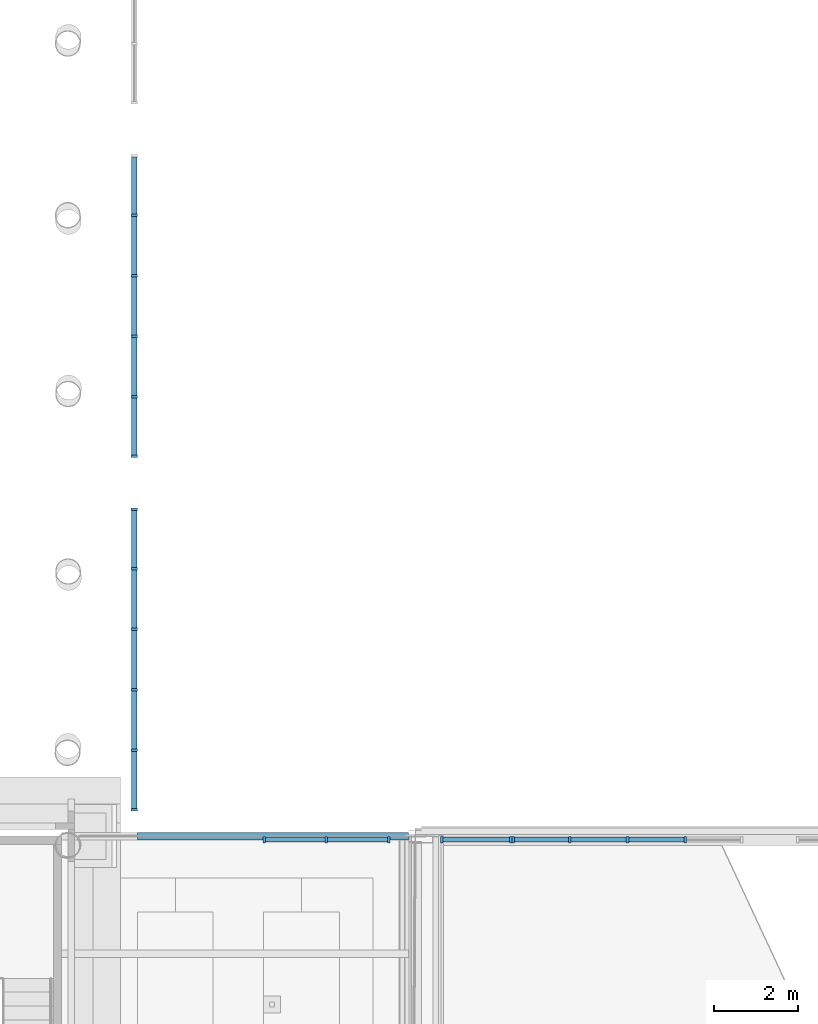
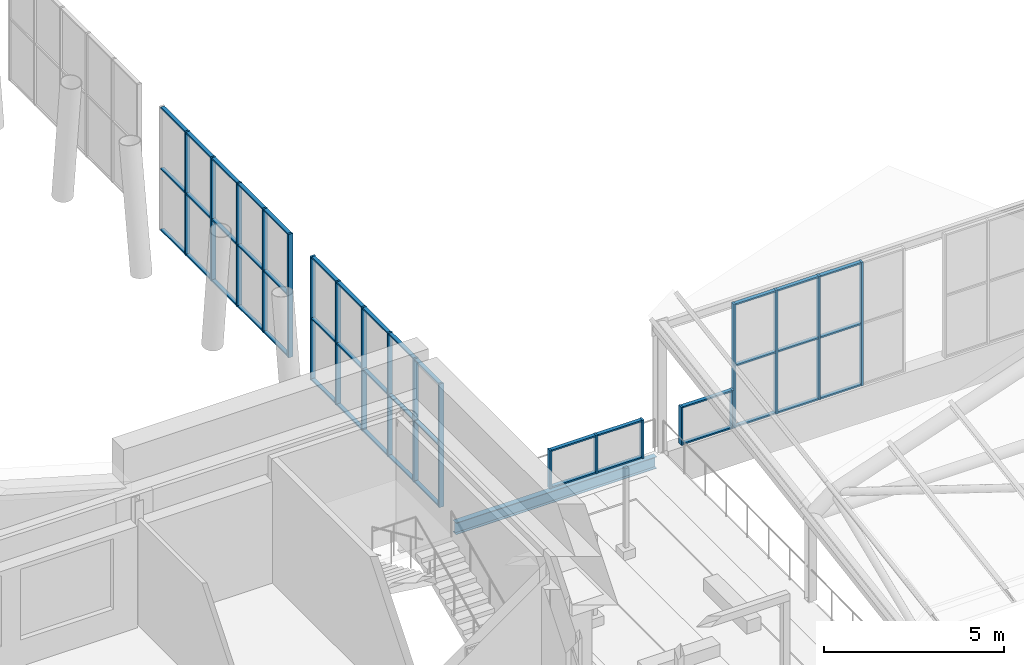
# One storey, part 19 of 76: 65 members, 1 beam, 5 elements without a shape of their own.
"""IFC4 building model written with IfcOpenShell, lengths in metres."""

from ifc_helpers import new_model, si_unit, direction, frame, origin, origin_2d, place, context, subcontext, project, spatial, rectangle, i_section, extrude, material, material_profile, profile_set, type_object, element, aggregate, save


model = new_model("IFC4")

# Units and contexts
model_context = context("Model", 3, precision=1e-05, world=origin(), true_north=direction((0.0, 1.0)))
body_context = subcontext(model_context, "Body", "Model", "MODEL_VIEW")
ifc_project = project(units=[si_unit("LENGTHUNIT", "METRE"), si_unit("AREAUNIT", "SQUARE_METRE"), si_unit("VOLUMEUNIT", "CUBIC_METRE"), si_unit("PLANEANGLEUNIT", "RADIAN"), si_unit("MASSUNIT", "GRAM", prefix="KILO")], contexts=[model_context])

# Site, building, storey
site_placement = place(None, origin())
site = spatial("IfcSite", under=ifc_project, at=site_placement, CompositionType="ELEMENT")
building_placement = place(site_placement, origin())
building = spatial("IfcBuilding", under=site, at=building_placement, Name="Sava Quay Ferry Terminal", CompositionType="ELEMENT")
storey_placement = place(building_placement, frame((0.0, 0.0, 10.800048828125)))
storey = spatial("IfcBuildingStorey", under=building, at=storey_placement, Name="L02", CompositionType="ELEMENT", Elevation=10.800048828125)

# Beam
ifc_material_1 = material(Name="Steel S355", Category="steel")
ifc_material_profile_1 = material_profile(ifc_material_1, i_section(OverallWidth=0.179931640625, OverallDepth=0.39990234375, WebThickness=0.008544921875, FlangeThickness=0.013427734375, at=origin_2d()), Name="IPE 400")
ifc_profile_set_1 = profile_set([ifc_material_profile_1], Name="Steel S355")
beam_type = type_object("IfcBeamType", Name="Beam IPE 400", PredefinedType="BEAM", material=ifc_profile_set_1)
beam_placement = place(storey_placement, frame((43.800048828125, 50.39990234375, -0.35009765625), z_axis=(1.0, 0.0, 0.0), x_axis=(0.0, 1.0, 0.0)))
element("IfcBeam", 1, at=beam_placement, inside=storey, type_object=beam_type, Name="Beam L02", PredefinedType="BEAM", context=body_context, shape_type="SweptSolid", body=[
    extrude(i_section(OverallWidth=0.179931640625, OverallDepth=0.39990234375, WebThickness=0.008544921875, FlangeThickness=0.013427734375, at=origin_2d()), origin(), (0.0, 0.0, 1.0), 6.449951171875),
])

# Curtain wall, members
ifc_material_2 = material(Name="Aluminium and glass curtain wall, double low-e glazed", Category="aluminium")
curtain_wall_type_1 = type_object("IfcCurtainWallType", Name="Curtain wall CW-G gable", PredefinedType="NOTDEFINED", material=ifc_material_2)
curtain_wall_1_placement = place(storey_placement, origin())
curtain_wall_1 = element("IfcCurtainWall", 2, at=curtain_wall_1_placement, inside=storey, type_object=curtain_wall_type_1, Name="Curtain wall D-S L02 bay 11", PredefinedType="NOTDEFINED")
ifc_material_3 = material(Name="Aluminium EN AW-6063 T6", Category="aluminium")
ifc_material_profile_2 = material_profile(ifc_material_3, rectangle(XDim=0.14990234375, YDim=0.06005859375, at=origin_2d()), Name="Mullion 60x150 aluminium")
ifc_profile_set_2 = profile_set([ifc_material_profile_2], Name="Aluminium EN AW-6063 T6")
member_type_1 = type_object("IfcMemberType", Name="Mullion 60x150 aluminium", PredefinedType="MULLION", material=ifc_profile_set_2)
member_1_placement = place(storey_placement, frame((46.81005859375, 50.31494140625, 0.0), z_axis=(0.0, 0.0, 1.0), x_axis=(0.0, 1.0, 0.0)))
member_1 = element("IfcMember", 3, at=member_1_placement, type_object=member_type_1, Name="CW88 mullion 1", PredefinedType="MULLION", context=body_context, shape_type="SweptSolid", body=[
    extrude(rectangle(XDim=0.14990234375, YDim=0.06005859375, at=origin_2d()), origin(), (0.0, 0.0, 1.0), 1.300048828125),
])
member_2_placement = place(storey_placement, frame((48.2900390625, 50.31494140625, 0.0), z_axis=(0.0, 0.0, 1.0), x_axis=(0.0, 1.0, 0.0)))
member_2 = element("IfcMember", 4, at=member_2_placement, type_object=member_type_1, Name="CW88 mullion 2", PredefinedType="MULLION", context=body_context, shape_type="SweptSolid", body=[
    extrude(rectangle(XDim=0.14990234375, YDim=0.06005859375, at=origin_2d()), origin(), (0.0, 0.0, 1.0), 1.300048828125),
])
member_3_placement = place(storey_placement, frame((49.77001953125, 50.31494140625, 0.0), z_axis=(0.0, 0.0, 1.0), x_axis=(0.0, 1.0, 0.0)))
member_3 = element("IfcMember", 5, at=member_3_placement, type_object=member_type_1, Name="CW88 mullion 3", PredefinedType="MULLION", context=body_context, shape_type="SweptSolid", body=[
    extrude(rectangle(XDim=0.14990234375, YDim=0.06005859375, at=origin_2d()), origin(), (0.0, 0.0, 1.0), 1.300048828125),
])

curtain_wall_2_placement = place(storey_placement, origin())
curtain_wall_2 = element("IfcCurtainWall", 6, at=curtain_wall_2_placement, inside=storey, type_object=curtain_wall_type_1, Name="Curtain wall D-S L02 bay 12", PredefinedType="NOTDEFINED")
member_4_placement = place(storey_placement, frame((51.030029296875, 50.31494140625, 0.0), z_axis=(0.0, 0.0, 1.0), x_axis=(0.0, 1.0, 0.0)))
member_4 = element("IfcMember", 7, at=member_4_placement, type_object=member_type_1, Name="CW89 mullion 1", PredefinedType="MULLION", context=body_context, shape_type="SweptSolid", body=[
    extrude(rectangle(XDim=0.14990234375, YDim=0.06005859375, at=origin_2d()), origin(), (0.0, 0.0, 1.0), 1.300048828125),
])
member_5_placement = place(storey_placement, frame((52.669921875, 50.31494140625, 0.0), z_axis=(0.0, 0.0, 1.0), x_axis=(0.0, 1.0, 0.0)))
member_5 = element("IfcMember", 8, at=member_5_placement, type_object=member_type_1, Name="CW89 mullion 2", PredefinedType="MULLION", context=body_context, shape_type="SweptSolid", body=[
    extrude(rectangle(XDim=0.14990234375, YDim=0.06005859375, at=origin_2d()), origin(), (0.0, 0.0, 1.0), 1.300048828125),
])

curtain_wall_3_placement = place(storey_placement, origin())
curtain_wall_3 = element("IfcCurtainWall", 9, at=curtain_wall_3_placement, inside=storey, type_object=curtain_wall_type_1, Name="Curtain wall D-S L02 bay 21", PredefinedType="NOTDEFINED")
member_6_placement = place(storey_placement, frame((52.72998046875, 50.31494140625, 0.0), z_axis=(0.0, 0.0, 1.0), x_axis=(0.0, 1.0, 0.0)))
member_6 = element("IfcMember", 10, at=member_6_placement, type_object=member_type_1, Name="CW90 mullion 1", PredefinedType="MULLION", context=body_context, shape_type="SweptSolid", body=[
    extrude(rectangle(XDim=0.14990234375, YDim=0.06005859375, at=origin_2d()), origin(), (0.0, 0.0, 1.0), 4.199951171875),
])
member_7_placement = place(storey_placement, frame((54.074951171875, 50.31494140625, 0.0), z_axis=(0.0, 0.0, 1.0), x_axis=(0.0, 1.0, 0.0)))
member_7 = element("IfcMember", 11, at=member_7_placement, type_object=member_type_1, Name="CW90 mullion 2", PredefinedType="MULLION", context=body_context, shape_type="SweptSolid", body=[
    extrude(rectangle(XDim=0.14990234375, YDim=0.06005859375, at=origin_2d()), origin(), (0.0, 0.0, 1.0), 4.199951171875),
])
member_8_placement = place(storey_placement, frame((55.449951171875, 50.31494140625, 0.0), z_axis=(0.0, 0.0, 1.0), x_axis=(0.0, 1.0, 0.0)))
member_8 = element("IfcMember", 12, at=member_8_placement, type_object=member_type_1, Name="CW90 mullion 3", PredefinedType="MULLION", context=body_context, shape_type="SweptSolid", body=[
    extrude(rectangle(XDim=0.14990234375, YDim=0.06005859375, at=origin_2d()), origin(), (0.0, 0.0, 1.0), 4.199951171875),
])
member_9_placement = place(storey_placement, frame((56.824951171875, 50.31494140625, 0.0), z_axis=(0.0, 0.0, 1.0), x_axis=(0.0, 1.0, 0.0)))
member_9 = element("IfcMember", 13, at=member_9_placement, type_object=member_type_1, Name="CW90 mullion 4", PredefinedType="MULLION", context=body_context, shape_type="SweptSolid", body=[
    extrude(rectangle(XDim=0.14990234375, YDim=0.06005859375, at=origin_2d()), origin(), (0.0, 0.0, 1.0), 4.199951171875),
])

ifc_material_4 = material(Name="Aluminium and glass curtain wall, double low-e glazed", Category="aluminium")
curtain_wall_type_2 = type_object("IfcCurtainWallType", Name="Curtain wall CW-F flank", PredefinedType="NOTDEFINED", material=ifc_material_4)
curtain_wall_4_placement = place(storey_placement, origin())
curtain_wall_4 = element("IfcCurtainWall", 14, at=curtain_wall_4_placement, inside=storey, type_object=curtain_wall_type_2, Name="Curtain wall D-W L02 bay 1", PredefinedType="NOTDEFINED")
member_10_placement = place(storey_placement, frame((43.72509765625, 51.030029296875, 0.0), z_axis=(0.0, 0.0, 1.0), x_axis=(-1.0, 0.0, 0.0)))
member_10 = element("IfcMember", 15, at=member_10_placement, type_object=member_type_1, Name="CW97 mullion 1", PredefinedType="MULLION", context=body_context, shape_type="SweptSolid", body=[
    extrude(rectangle(XDim=0.14990234375, YDim=0.06005859375, at=origin_2d()), origin(), (0.0, 0.0, 1.0), 4.199951171875),
])
member_11_placement = place(storey_placement, frame((43.72509765625, 52.43994140625, 0.0), z_axis=(0.0, 0.0, 1.0), x_axis=(-1.0, 0.0, 0.0)))
member_11 = element("IfcMember", 16, at=member_11_placement, type_object=member_type_1, Name="CW97 mullion 2", PredefinedType="MULLION", context=body_context, shape_type="SweptSolid", body=[
    extrude(rectangle(XDim=0.14990234375, YDim=0.06005859375, at=origin_2d()), origin(), (0.0, 0.0, 1.0), 4.199951171875),
])
member_12_placement = place(storey_placement, frame((43.72509765625, 53.8798828125, 0.0), z_axis=(0.0, 0.0, 1.0), x_axis=(-1.0, 0.0, 0.0)))
member_12 = element("IfcMember", 17, at=member_12_placement, type_object=member_type_1, Name="CW97 mullion 3", PredefinedType="MULLION", context=body_context, shape_type="SweptSolid", body=[
    extrude(rectangle(XDim=0.14990234375, YDim=0.06005859375, at=origin_2d()), origin(), (0.0, 0.0, 1.0), 4.199951171875),
])
member_13_placement = place(storey_placement, frame((43.72509765625, 55.320068359375, 0.0), z_axis=(0.0, 0.0, 1.0), x_axis=(-1.0, 0.0, 0.0)))
member_13 = element("IfcMember", 18, at=member_13_placement, type_object=member_type_1, Name="CW97 mullion 4", PredefinedType="MULLION", context=body_context, shape_type="SweptSolid", body=[
    extrude(rectangle(XDim=0.14990234375, YDim=0.06005859375, at=origin_2d()), origin(), (0.0, 0.0, 1.0), 4.199951171875),
])
member_14_placement = place(storey_placement, frame((43.72509765625, 56.760009765625, 0.0), z_axis=(0.0, 0.0, 1.0), x_axis=(-1.0, 0.0, 0.0)))
member_14 = element("IfcMember", 19, at=member_14_placement, type_object=member_type_1, Name="CW97 mullion 5", PredefinedType="MULLION", context=body_context, shape_type="SweptSolid", body=[
    extrude(rectangle(XDim=0.14990234375, YDim=0.06005859375, at=origin_2d()), origin(), (0.0, 0.0, 1.0), 4.199951171875),
])
member_15_placement = place(storey_placement, frame((43.72509765625, 58.169921875, 0.0), z_axis=(0.0, 0.0, 1.0), x_axis=(-1.0, 0.0, 0.0)))
member_15 = element("IfcMember", 20, at=member_15_placement, type_object=member_type_1, Name="CW97 mullion 6", PredefinedType="MULLION", context=body_context, shape_type="SweptSolid", body=[
    extrude(rectangle(XDim=0.14990234375, YDim=0.06005859375, at=origin_2d()), origin(), (0.0, 0.0, 1.0), 4.199951171875),
])

curtain_wall_5_placement = place(storey_placement, origin())
curtain_wall_5 = element("IfcCurtainWall", 21, at=curtain_wall_5_placement, inside=storey, type_object=curtain_wall_type_2, Name="Curtain wall D-W L02 bay 2", PredefinedType="NOTDEFINED")
member_16_placement = place(storey_placement, frame((43.72509765625, 59.429931640625, 0.0), z_axis=(0.0, 0.0, 1.0), x_axis=(-1.0, 0.0, 0.0)))
member_16 = element("IfcMember", 22, at=member_16_placement, type_object=member_type_1, Name="CW101 mullion 1", PredefinedType="MULLION", context=body_context, shape_type="SweptSolid", body=[
    extrude(rectangle(XDim=0.14990234375, YDim=0.06005859375, at=origin_2d()), origin(), (0.0, 0.0, 1.0), 4.199951171875),
])
member_17_placement = place(storey_placement, frame((43.72509765625, 60.840087890625, 0.0), z_axis=(0.0, 0.0, 1.0), x_axis=(-1.0, 0.0, 0.0)))
member_17 = element("IfcMember", 23, at=member_17_placement, type_object=member_type_1, Name="CW101 mullion 2", PredefinedType="MULLION", context=body_context, shape_type="SweptSolid", body=[
    extrude(rectangle(XDim=0.14990234375, YDim=0.06005859375, at=origin_2d()), origin(), (0.0, 0.0, 1.0), 4.199951171875),
])
member_18_placement = place(storey_placement, frame((43.72509765625, 62.280029296875, 0.0), z_axis=(0.0, 0.0, 1.0), x_axis=(-1.0, 0.0, 0.0)))
member_18 = element("IfcMember", 24, at=member_18_placement, type_object=member_type_1, Name="CW101 mullion 3", PredefinedType="MULLION", context=body_context, shape_type="SweptSolid", body=[
    extrude(rectangle(XDim=0.14990234375, YDim=0.06005859375, at=origin_2d()), origin(), (0.0, 0.0, 1.0), 4.199951171875),
])
member_19_placement = place(storey_placement, frame((43.72509765625, 63.719970703125, 0.0), z_axis=(0.0, 0.0, 1.0), x_axis=(-1.0, 0.0, 0.0)))
member_19 = element("IfcMember", 25, at=member_19_placement, type_object=member_type_1, Name="CW101 mullion 4", PredefinedType="MULLION", context=body_context, shape_type="SweptSolid", body=[
    extrude(rectangle(XDim=0.14990234375, YDim=0.06005859375, at=origin_2d()), origin(), (0.0, 0.0, 1.0), 4.199951171875),
])
member_20_placement = place(storey_placement, frame((43.72509765625, 65.159912109375, 0.0), z_axis=(0.0, 0.0, 1.0), x_axis=(-1.0, 0.0, 0.0)))
member_20 = element("IfcMember", 26, at=member_20_placement, type_object=member_type_1, Name="CW101 mullion 5", PredefinedType="MULLION", context=body_context, shape_type="SweptSolid", body=[
    extrude(rectangle(XDim=0.14990234375, YDim=0.06005859375, at=origin_2d()), origin(), (0.0, 0.0, 1.0), 4.199951171875),
])

# Member
ifc_material_5 = material(Name="Aluminium EN AW-6063 T6", Category="aluminium")
ifc_material_profile_3 = material_profile(ifc_material_5, rectangle(XDim=0.1201171875, YDim=0.050048828125, at=origin_2d()), Name="Transom 50x120 aluminium")
ifc_profile_set_3 = profile_set([ifc_material_profile_3], Name="Aluminium EN AW-6063 T6")
member_type_2 = type_object("IfcMemberType", Name="Transom 50x120 aluminium", PredefinedType="USERDEFINED", material=ifc_profile_set_3)
member_21_placement = place(storey_placement, frame((46.840087890625, 50.31494140625, 0.02490234375), z_axis=(1.0, 0.0, 0.0), x_axis=(0.0, 1.0, 0.0)))
member_21 = element("IfcMember", 27, at=member_21_placement, type_object=member_type_2, Name="CW88 transom 1.1", ObjectType="TRANSOM", PredefinedType="USERDEFINED", context=body_context, shape_type="SweptSolid", body=[
    extrude(rectangle(XDim=0.1201171875, YDim=0.050048828125, at=origin_2d()), origin(), (0.0, 0.0, 1.0), 1.419921875),
])

member_22_placement = place(storey_placement, frame((46.840087890625, 50.31494140625, 1.27490234375), z_axis=(1.0, 0.0, 0.0), x_axis=(0.0, 1.0, 0.0)))
member_22 = element("IfcMember", 28, at=member_22_placement, type_object=member_type_2, Name="CW88 transom 1.2", ObjectType="TRANSOM", PredefinedType="USERDEFINED", context=body_context, shape_type="SweptSolid", body=[
    extrude(rectangle(XDim=0.1201171875, YDim=0.050048828125, at=origin_2d()), origin(), (0.0, 0.0, 1.0), 1.419921875),
])

member_23_placement = place(storey_placement, frame((48.320068359375, 50.31494140625, 0.02490234375), z_axis=(1.0, 0.0, 0.0), x_axis=(0.0, 1.0, 0.0)))
member_23 = element("IfcMember", 29, at=member_23_placement, type_object=member_type_2, Name="CW88 transom 2.1", ObjectType="TRANSOM", PredefinedType="USERDEFINED", context=body_context, shape_type="SweptSolid", body=[
    extrude(rectangle(XDim=0.1201171875, YDim=0.050048828125, at=origin_2d()), origin(), (0.0, 0.0, 1.0), 1.419921875),
])

member_24_placement = place(storey_placement, frame((48.320068359375, 50.31494140625, 1.27490234375), z_axis=(1.0, 0.0, 0.0), x_axis=(0.0, 1.0, 0.0)))
member_24 = element("IfcMember", 30, at=member_24_placement, type_object=member_type_2, Name="CW88 transom 2.2", ObjectType="TRANSOM", PredefinedType="USERDEFINED", context=body_context, shape_type="SweptSolid", body=[
    extrude(rectangle(XDim=0.1201171875, YDim=0.050048828125, at=origin_2d()), origin(), (0.0, 0.0, 1.0), 1.419921875),
])

aggregate(curtain_wall_1, [member_1, member_2, member_3, member_21, member_22, member_23, member_24])

member_25_placement = place(storey_placement, frame((51.06005859375, 50.31494140625, 0.02490234375), z_axis=(1.0, 0.0, 0.0), x_axis=(0.0, 1.0, 0.0)))
member_25 = element("IfcMember", 31, at=member_25_placement, type_object=member_type_2, Name="CW89 transom 1.1", ObjectType="TRANSOM", PredefinedType="USERDEFINED", context=body_context, shape_type="SweptSolid", body=[
    extrude(rectangle(XDim=0.1201171875, YDim=0.050048828125, at=origin_2d()), origin(), (0.0, 0.0, 1.0), 1.579833984375),
])

member_26_placement = place(storey_placement, frame((51.06005859375, 50.31494140625, 1.27490234375), z_axis=(1.0, 0.0, 0.0), x_axis=(0.0, 1.0, 0.0)))
member_26 = element("IfcMember", 32, at=member_26_placement, type_object=member_type_2, Name="CW89 transom 1.2", ObjectType="TRANSOM", PredefinedType="USERDEFINED", context=body_context, shape_type="SweptSolid", body=[
    extrude(rectangle(XDim=0.1201171875, YDim=0.050048828125, at=origin_2d()), origin(), (0.0, 0.0, 1.0), 1.579833984375),
])

aggregate(curtain_wall_2, [member_4, member_5, member_25, member_26])

member_27_placement = place(storey_placement, frame((52.760009765625, 50.31494140625, 0.02490234375), z_axis=(1.0, 0.0, 0.0), x_axis=(0.0, 1.0, 0.0)))
member_27 = element("IfcMember", 33, at=member_27_placement, type_object=member_type_2, Name="CW90 transom 1.1", ObjectType="TRANSOM", PredefinedType="USERDEFINED", context=body_context, shape_type="SweptSolid", body=[
    extrude(rectangle(XDim=0.1201171875, YDim=0.050048828125, at=origin_2d()), origin(), (0.0, 0.0, 1.0), 1.284912109375),
])

member_28_placement = place(storey_placement, frame((52.760009765625, 50.31494140625, 2.099853515625), z_axis=(1.0, 0.0, 0.0), x_axis=(0.0, 1.0, 0.0)))
member_28 = element("IfcMember", 34, at=member_28_placement, type_object=member_type_2, Name="CW90 transom 1.2", ObjectType="TRANSOM", PredefinedType="USERDEFINED", context=body_context, shape_type="SweptSolid", body=[
    extrude(rectangle(XDim=0.1201171875, YDim=0.050048828125, at=origin_2d()), origin(), (0.0, 0.0, 1.0), 1.284912109375),
])

member_29_placement = place(storey_placement, frame((52.760009765625, 50.31494140625, 4.175048828125), z_axis=(1.0, 0.0, 0.0), x_axis=(0.0, 1.0, 0.0)))
member_29 = element("IfcMember", 35, at=member_29_placement, type_object=member_type_2, Name="CW90 transom 1.3", ObjectType="TRANSOM", PredefinedType="USERDEFINED", context=body_context, shape_type="SweptSolid", body=[
    extrude(rectangle(XDim=0.1201171875, YDim=0.050048828125, at=origin_2d()), origin(), (0.0, 0.0, 1.0), 1.284912109375),
])

member_30_placement = place(storey_placement, frame((54.10498046875, 50.31494140625, 0.02490234375), z_axis=(1.0, 0.0, 0.0), x_axis=(0.0, 1.0, 0.0)))
member_30 = element("IfcMember", 36, at=member_30_placement, type_object=member_type_2, Name="CW90 transom 2.1", ObjectType="TRANSOM", PredefinedType="USERDEFINED", context=body_context, shape_type="SweptSolid", body=[
    extrude(rectangle(XDim=0.1201171875, YDim=0.050048828125, at=origin_2d()), origin(), (0.0, 0.0, 1.0), 1.31494140625),
])

member_31_placement = place(storey_placement, frame((54.10498046875, 50.31494140625, 2.099853515625), z_axis=(1.0, 0.0, 0.0), x_axis=(0.0, 1.0, 0.0)))
member_31 = element("IfcMember", 37, at=member_31_placement, type_object=member_type_2, Name="CW90 transom 2.2", ObjectType="TRANSOM", PredefinedType="USERDEFINED", context=body_context, shape_type="SweptSolid", body=[
    extrude(rectangle(XDim=0.1201171875, YDim=0.050048828125, at=origin_2d()), origin(), (0.0, 0.0, 1.0), 1.31494140625),
])

member_32_placement = place(storey_placement, frame((54.10498046875, 50.31494140625, 4.175048828125), z_axis=(1.0, 0.0, 0.0), x_axis=(0.0, 1.0, 0.0)))
member_32 = element("IfcMember", 38, at=member_32_placement, type_object=member_type_2, Name="CW90 transom 2.3", ObjectType="TRANSOM", PredefinedType="USERDEFINED", context=body_context, shape_type="SweptSolid", body=[
    extrude(rectangle(XDim=0.1201171875, YDim=0.050048828125, at=origin_2d()), origin(), (0.0, 0.0, 1.0), 1.31494140625),
])

member_33_placement = place(storey_placement, frame((55.47998046875, 50.31494140625, 0.02490234375), z_axis=(1.0, 0.0, 0.0), x_axis=(0.0, 1.0, 0.0)))
member_33 = element("IfcMember", 39, at=member_33_placement, type_object=member_type_2, Name="CW90 transom 3.1", ObjectType="TRANSOM", PredefinedType="USERDEFINED", context=body_context, shape_type="SweptSolid", body=[
    extrude(rectangle(XDim=0.1201171875, YDim=0.050048828125, at=origin_2d()), origin(), (0.0, 0.0, 1.0), 1.31494140625),
])

member_34_placement = place(storey_placement, frame((55.47998046875, 50.31494140625, 2.099853515625), z_axis=(1.0, 0.0, 0.0), x_axis=(0.0, 1.0, 0.0)))
member_34 = element("IfcMember", 40, at=member_34_placement, type_object=member_type_2, Name="CW90 transom 3.2", ObjectType="TRANSOM", PredefinedType="USERDEFINED", context=body_context, shape_type="SweptSolid", body=[
    extrude(rectangle(XDim=0.1201171875, YDim=0.050048828125, at=origin_2d()), origin(), (0.0, 0.0, 1.0), 1.31494140625),
])

member_35_placement = place(storey_placement, frame((55.47998046875, 50.31494140625, 4.175048828125), z_axis=(1.0, 0.0, 0.0), x_axis=(0.0, 1.0, 0.0)))
member_35 = element("IfcMember", 41, at=member_35_placement, type_object=member_type_2, Name="CW90 transom 3.3", ObjectType="TRANSOM", PredefinedType="USERDEFINED", context=body_context, shape_type="SweptSolid", body=[
    extrude(rectangle(XDim=0.1201171875, YDim=0.050048828125, at=origin_2d()), origin(), (0.0, 0.0, 1.0), 1.31494140625),
])

aggregate(curtain_wall_3, [member_6, member_7, member_8, member_9, member_27, member_28, member_29, member_30, member_31, member_32, member_33, member_34, member_35])

member_36_placement = place(storey_placement, frame((43.72509765625, 51.06005859375, 0.02490234375), z_axis=(0.0, 1.0, 0.0), x_axis=(-1.0, 0.0, 0.0)))
member_36 = element("IfcMember", 42, at=member_36_placement, type_object=member_type_2, Name="CW97 transom 1.1", ObjectType="TRANSOM", PredefinedType="USERDEFINED", context=body_context, shape_type="SweptSolid", body=[
    extrude(rectangle(XDim=0.1201171875, YDim=0.050048828125, at=origin_2d()), origin(), (0.0, 0.0, 1.0), 1.349853515625),
])

member_37_placement = place(storey_placement, frame((43.72509765625, 51.06005859375, 2.099853515625), z_axis=(0.0, 1.0, 0.0), x_axis=(-1.0, 0.0, 0.0)))
member_37 = element("IfcMember", 43, at=member_37_placement, type_object=member_type_2, Name="CW97 transom 1.2", ObjectType="TRANSOM", PredefinedType="USERDEFINED", context=body_context, shape_type="SweptSolid", body=[
    extrude(rectangle(XDim=0.1201171875, YDim=0.050048828125, at=origin_2d()), origin(), (0.0, 0.0, 1.0), 1.349853515625),
])

member_38_placement = place(storey_placement, frame((43.72509765625, 51.06005859375, 4.175048828125), z_axis=(0.0, 1.0, 0.0), x_axis=(-1.0, 0.0, 0.0)))
member_38 = element("IfcMember", 44, at=member_38_placement, type_object=member_type_2, Name="CW97 transom 1.3", ObjectType="TRANSOM", PredefinedType="USERDEFINED", context=body_context, shape_type="SweptSolid", body=[
    extrude(rectangle(XDim=0.1201171875, YDim=0.050048828125, at=origin_2d()), origin(), (0.0, 0.0, 1.0), 1.349853515625),
])

member_39_placement = place(storey_placement, frame((43.72509765625, 52.469970703125, 0.02490234375), z_axis=(0.0, 1.0, 0.0), x_axis=(-1.0, 0.0, 0.0)))
member_39 = element("IfcMember", 45, at=member_39_placement, type_object=member_type_2, Name="CW97 transom 2.1", ObjectType="TRANSOM", PredefinedType="USERDEFINED", context=body_context, shape_type="SweptSolid", body=[
    extrude(rectangle(XDim=0.1201171875, YDim=0.050048828125, at=origin_2d()), origin(), (0.0, 0.0, 1.0), 1.380126953125),
])

member_40_placement = place(storey_placement, frame((43.72509765625, 52.469970703125, 2.099853515625), z_axis=(0.0, 1.0, 0.0), x_axis=(-1.0, 0.0, 0.0)))
member_40 = element("IfcMember", 46, at=member_40_placement, type_object=member_type_2, Name="CW97 transom 2.2", ObjectType="TRANSOM", PredefinedType="USERDEFINED", context=body_context, shape_type="SweptSolid", body=[
    extrude(rectangle(XDim=0.1201171875, YDim=0.050048828125, at=origin_2d()), origin(), (0.0, 0.0, 1.0), 1.380126953125),
])

member_41_placement = place(storey_placement, frame((43.72509765625, 52.469970703125, 4.175048828125), z_axis=(0.0, 1.0, 0.0), x_axis=(-1.0, 0.0, 0.0)))
member_41 = element("IfcMember", 47, at=member_41_placement, type_object=member_type_2, Name="CW97 transom 2.3", ObjectType="TRANSOM", PredefinedType="USERDEFINED", context=body_context, shape_type="SweptSolid", body=[
    extrude(rectangle(XDim=0.1201171875, YDim=0.050048828125, at=origin_2d()), origin(), (0.0, 0.0, 1.0), 1.380126953125),
])

member_42_placement = place(storey_placement, frame((43.72509765625, 53.909912109375, 0.02490234375), z_axis=(0.0, 1.0, 0.0), x_axis=(-1.0, 0.0, 0.0)))
member_42 = element("IfcMember", 48, at=member_42_placement, type_object=member_type_2, Name="CW97 transom 3.1", ObjectType="TRANSOM", PredefinedType="USERDEFINED", context=body_context, shape_type="SweptSolid", body=[
    extrude(rectangle(XDim=0.1201171875, YDim=0.050048828125, at=origin_2d()), origin(), (0.0, 0.0, 1.0), 1.380126953125),
])

member_43_placement = place(storey_placement, frame((43.72509765625, 53.909912109375, 2.099853515625), z_axis=(0.0, 1.0, 0.0), x_axis=(-1.0, 0.0, 0.0)))
member_43 = element("IfcMember", 49, at=member_43_placement, type_object=member_type_2, Name="CW97 transom 3.2", ObjectType="TRANSOM", PredefinedType="USERDEFINED", context=body_context, shape_type="SweptSolid", body=[
    extrude(rectangle(XDim=0.1201171875, YDim=0.050048828125, at=origin_2d()), origin(), (0.0, 0.0, 1.0), 1.380126953125),
])

member_44_placement = place(storey_placement, frame((43.72509765625, 53.909912109375, 4.175048828125), z_axis=(0.0, 1.0, 0.0), x_axis=(-1.0, 0.0, 0.0)))
member_44 = element("IfcMember", 50, at=member_44_placement, type_object=member_type_2, Name="CW97 transom 3.3", ObjectType="TRANSOM", PredefinedType="USERDEFINED", context=body_context, shape_type="SweptSolid", body=[
    extrude(rectangle(XDim=0.1201171875, YDim=0.050048828125, at=origin_2d()), origin(), (0.0, 0.0, 1.0), 1.380126953125),
])

member_45_placement = place(storey_placement, frame((43.72509765625, 55.35009765625, 0.02490234375), z_axis=(0.0, 1.0, 0.0), x_axis=(-1.0, 0.0, 0.0)))
member_45 = element("IfcMember", 51, at=member_45_placement, type_object=member_type_2, Name="CW97 transom 4.1", ObjectType="TRANSOM", PredefinedType="USERDEFINED", context=body_context, shape_type="SweptSolid", body=[
    extrude(rectangle(XDim=0.1201171875, YDim=0.050048828125, at=origin_2d()), origin(), (0.0, 0.0, 1.0), 1.3798828125),
])

member_46_placement = place(storey_placement, frame((43.72509765625, 55.35009765625, 2.099853515625), z_axis=(0.0, 1.0, 0.0), x_axis=(-1.0, 0.0, 0.0)))
member_46 = element("IfcMember", 52, at=member_46_placement, type_object=member_type_2, Name="CW97 transom 4.2", ObjectType="TRANSOM", PredefinedType="USERDEFINED", context=body_context, shape_type="SweptSolid", body=[
    extrude(rectangle(XDim=0.1201171875, YDim=0.050048828125, at=origin_2d()), origin(), (0.0, 0.0, 1.0), 1.3798828125),
])

member_47_placement = place(storey_placement, frame((43.72509765625, 55.35009765625, 4.175048828125), z_axis=(0.0, 1.0, 0.0), x_axis=(-1.0, 0.0, 0.0)))
member_47 = element("IfcMember", 53, at=member_47_placement, type_object=member_type_2, Name="CW97 transom 4.3", ObjectType="TRANSOM", PredefinedType="USERDEFINED", context=body_context, shape_type="SweptSolid", body=[
    extrude(rectangle(XDim=0.1201171875, YDim=0.050048828125, at=origin_2d()), origin(), (0.0, 0.0, 1.0), 1.3798828125),
])

member_48_placement = place(storey_placement, frame((43.72509765625, 56.7900390625, 0.02490234375), z_axis=(0.0, 1.0, 0.0), x_axis=(-1.0, 0.0, 0.0)))
member_48 = element("IfcMember", 54, at=member_48_placement, type_object=member_type_2, Name="CW97 transom 5.1", ObjectType="TRANSOM", PredefinedType="USERDEFINED", context=body_context, shape_type="SweptSolid", body=[
    extrude(rectangle(XDim=0.1201171875, YDim=0.050048828125, at=origin_2d()), origin(), (0.0, 0.0, 1.0), 1.349853515625),
])

member_49_placement = place(storey_placement, frame((43.72509765625, 56.7900390625, 2.099853515625), z_axis=(0.0, 1.0, 0.0), x_axis=(-1.0, 0.0, 0.0)))
member_49 = element("IfcMember", 55, at=member_49_placement, type_object=member_type_2, Name="CW97 transom 5.2", ObjectType="TRANSOM", PredefinedType="USERDEFINED", context=body_context, shape_type="SweptSolid", body=[
    extrude(rectangle(XDim=0.1201171875, YDim=0.050048828125, at=origin_2d()), origin(), (0.0, 0.0, 1.0), 1.349853515625),
])

member_50_placement = place(storey_placement, frame((43.72509765625, 56.7900390625, 4.175048828125), z_axis=(0.0, 1.0, 0.0), x_axis=(-1.0, 0.0, 0.0)))
member_50 = element("IfcMember", 56, at=member_50_placement, type_object=member_type_2, Name="CW97 transom 5.3", ObjectType="TRANSOM", PredefinedType="USERDEFINED", context=body_context, shape_type="SweptSolid", body=[
    extrude(rectangle(XDim=0.1201171875, YDim=0.050048828125, at=origin_2d()), origin(), (0.0, 0.0, 1.0), 1.349853515625),
])

aggregate(curtain_wall_4, [member_10, member_11, member_12, member_13, member_14, member_15, member_36, member_37, member_38, member_39, member_40, member_41, member_42, member_43, member_44, member_45, member_46, member_47, member_48, member_49, member_50])

member_51_placement = place(storey_placement, frame((43.72509765625, 59.4599609375, 0.02490234375), z_axis=(0.0, 1.0, 0.0), x_axis=(-1.0, 0.0, 0.0)))
member_51 = element("IfcMember", 57, at=member_51_placement, type_object=member_type_2, Name="CW101 transom 1.1", ObjectType="TRANSOM", PredefinedType="USERDEFINED", context=body_context, shape_type="SweptSolid", body=[
    extrude(rectangle(XDim=0.1201171875, YDim=0.050048828125, at=origin_2d()), origin(), (0.0, 0.0, 1.0), 1.35009765625),
])

member_52_placement = place(storey_placement, frame((43.72509765625, 59.4599609375, 2.099853515625), z_axis=(0.0, 1.0, 0.0), x_axis=(-1.0, 0.0, 0.0)))
member_52 = element("IfcMember", 58, at=member_52_placement, type_object=member_type_2, Name="CW101 transom 1.2", ObjectType="TRANSOM", PredefinedType="USERDEFINED", context=body_context, shape_type="SweptSolid", body=[
    extrude(rectangle(XDim=0.1201171875, YDim=0.050048828125, at=origin_2d()), origin(), (0.0, 0.0, 1.0), 1.35009765625),
])

member_53_placement = place(storey_placement, frame((43.72509765625, 59.4599609375, 4.175048828125), z_axis=(0.0, 1.0, 0.0), x_axis=(-1.0, 0.0, 0.0)))
member_53 = element("IfcMember", 59, at=member_53_placement, type_object=member_type_2, Name="CW101 transom 1.3", ObjectType="TRANSOM", PredefinedType="USERDEFINED", context=body_context, shape_type="SweptSolid", body=[
    extrude(rectangle(XDim=0.1201171875, YDim=0.050048828125, at=origin_2d()), origin(), (0.0, 0.0, 1.0), 1.35009765625),
])

member_54_placement = place(storey_placement, frame((43.72509765625, 60.8701171875, 0.02490234375), z_axis=(0.0, 1.0, 0.0), x_axis=(-1.0, 0.0, 0.0)))
member_54 = element("IfcMember", 60, at=member_54_placement, type_object=member_type_2, Name="CW101 transom 2.1", ObjectType="TRANSOM", PredefinedType="USERDEFINED", context=body_context, shape_type="SweptSolid", body=[
    extrude(rectangle(XDim=0.1201171875, YDim=0.050048828125, at=origin_2d()), origin(), (0.0, 0.0, 1.0), 1.3798828125),
])

member_55_placement = place(storey_placement, frame((43.72509765625, 60.8701171875, 2.099853515625), z_axis=(0.0, 1.0, 0.0), x_axis=(-1.0, 0.0, 0.0)))
member_55 = element("IfcMember", 61, at=member_55_placement, type_object=member_type_2, Name="CW101 transom 2.2", ObjectType="TRANSOM", PredefinedType="USERDEFINED", context=body_context, shape_type="SweptSolid", body=[
    extrude(rectangle(XDim=0.1201171875, YDim=0.050048828125, at=origin_2d()), origin(), (0.0, 0.0, 1.0), 1.3798828125),
])

member_56_placement = place(storey_placement, frame((43.72509765625, 60.8701171875, 4.175048828125), z_axis=(0.0, 1.0, 0.0), x_axis=(-1.0, 0.0, 0.0)))
member_56 = element("IfcMember", 62, at=member_56_placement, type_object=member_type_2, Name="CW101 transom 2.3", ObjectType="TRANSOM", PredefinedType="USERDEFINED", context=body_context, shape_type="SweptSolid", body=[
    extrude(rectangle(XDim=0.1201171875, YDim=0.050048828125, at=origin_2d()), origin(), (0.0, 0.0, 1.0), 1.3798828125),
])

member_57_placement = place(storey_placement, frame((43.72509765625, 62.31005859375, 0.02490234375), z_axis=(0.0, 1.0, 0.0), x_axis=(-1.0, 0.0, 0.0)))
member_57 = element("IfcMember", 63, at=member_57_placement, type_object=member_type_2, Name="CW101 transom 3.1", ObjectType="TRANSOM", PredefinedType="USERDEFINED", context=body_context, shape_type="SweptSolid", body=[
    extrude(rectangle(XDim=0.1201171875, YDim=0.050048828125, at=origin_2d()), origin(), (0.0, 0.0, 1.0), 1.3798828125),
])

member_58_placement = place(storey_placement, frame((43.72509765625, 62.31005859375, 2.099853515625), z_axis=(0.0, 1.0, 0.0), x_axis=(-1.0, 0.0, 0.0)))
member_58 = element("IfcMember", 64, at=member_58_placement, type_object=member_type_2, Name="CW101 transom 3.2", ObjectType="TRANSOM", PredefinedType="USERDEFINED", context=body_context, shape_type="SweptSolid", body=[
    extrude(rectangle(XDim=0.1201171875, YDim=0.050048828125, at=origin_2d()), origin(), (0.0, 0.0, 1.0), 1.3798828125),
])

member_59_placement = place(storey_placement, frame((43.72509765625, 62.31005859375, 4.175048828125), z_axis=(0.0, 1.0, 0.0), x_axis=(-1.0, 0.0, 0.0)))
member_59 = element("IfcMember", 65, at=member_59_placement, type_object=member_type_2, Name="CW101 transom 3.3", ObjectType="TRANSOM", PredefinedType="USERDEFINED", context=body_context, shape_type="SweptSolid", body=[
    extrude(rectangle(XDim=0.1201171875, YDim=0.050048828125, at=origin_2d()), origin(), (0.0, 0.0, 1.0), 1.3798828125),
])

member_60_placement = place(storey_placement, frame((43.72509765625, 63.75, 0.02490234375), z_axis=(0.0, 1.0, 0.0), x_axis=(-1.0, 0.0, 0.0)))
member_60 = element("IfcMember", 66, at=member_60_placement, type_object=member_type_2, Name="CW101 transom 4.1", ObjectType="TRANSOM", PredefinedType="USERDEFINED", context=body_context, shape_type="SweptSolid", body=[
    extrude(rectangle(XDim=0.1201171875, YDim=0.050048828125, at=origin_2d()), origin(), (0.0, 0.0, 1.0), 1.3798828125),
])

member_61_placement = place(storey_placement, frame((43.72509765625, 63.75, 2.099853515625), z_axis=(0.0, 1.0, 0.0), x_axis=(-1.0, 0.0, 0.0)))
member_61 = element("IfcMember", 67, at=member_61_placement, type_object=member_type_2, Name="CW101 transom 4.2", ObjectType="TRANSOM", PredefinedType="USERDEFINED", context=body_context, shape_type="SweptSolid", body=[
    extrude(rectangle(XDim=0.1201171875, YDim=0.050048828125, at=origin_2d()), origin(), (0.0, 0.0, 1.0), 1.3798828125),
])

member_62_placement = place(storey_placement, frame((43.72509765625, 63.75, 4.175048828125), z_axis=(0.0, 1.0, 0.0), x_axis=(-1.0, 0.0, 0.0)))
member_62 = element("IfcMember", 68, at=member_62_placement, type_object=member_type_2, Name="CW101 transom 4.3", ObjectType="TRANSOM", PredefinedType="USERDEFINED", context=body_context, shape_type="SweptSolid", body=[
    extrude(rectangle(XDim=0.1201171875, YDim=0.050048828125, at=origin_2d()), origin(), (0.0, 0.0, 1.0), 1.3798828125),
])

member_63_placement = place(storey_placement, frame((43.72509765625, 65.18994140625, 0.02490234375), z_axis=(0.0, 1.0, 0.0), x_axis=(-1.0, 0.0, 0.0)))
member_63 = element("IfcMember", 69, at=member_63_placement, type_object=member_type_2, Name="CW101 transom 5.1", ObjectType="TRANSOM", PredefinedType="USERDEFINED", context=body_context, shape_type="SweptSolid", body=[
    extrude(rectangle(XDim=0.1201171875, YDim=0.050048828125, at=origin_2d()), origin(), (0.0, 0.0, 1.0), 1.35009765625),
])

member_64_placement = place(storey_placement, frame((43.72509765625, 65.18994140625, 2.099853515625), z_axis=(0.0, 1.0, 0.0), x_axis=(-1.0, 0.0, 0.0)))
member_64 = element("IfcMember", 70, at=member_64_placement, type_object=member_type_2, Name="CW101 transom 5.2", ObjectType="TRANSOM", PredefinedType="USERDEFINED", context=body_context, shape_type="SweptSolid", body=[
    extrude(rectangle(XDim=0.1201171875, YDim=0.050048828125, at=origin_2d()), origin(), (0.0, 0.0, 1.0), 1.35009765625),
])

member_65_placement = place(storey_placement, frame((43.72509765625, 65.18994140625, 4.175048828125), z_axis=(0.0, 1.0, 0.0), x_axis=(-1.0, 0.0, 0.0)))
member_65 = element("IfcMember", 71, at=member_65_placement, type_object=member_type_2, Name="CW101 transom 5.3", ObjectType="TRANSOM", PredefinedType="USERDEFINED", context=body_context, shape_type="SweptSolid", body=[
    extrude(rectangle(XDim=0.1201171875, YDim=0.050048828125, at=origin_2d()), origin(), (0.0, 0.0, 1.0), 1.35009765625),
])

aggregate(curtain_wall_5, [member_16, member_17, member_18, member_19, member_20, member_51, member_52, member_53, member_54, member_55, member_56, member_57, member_58, member_59, member_60, member_61, member_62, member_63, member_64, member_65])

save(model, "model.ifc")
